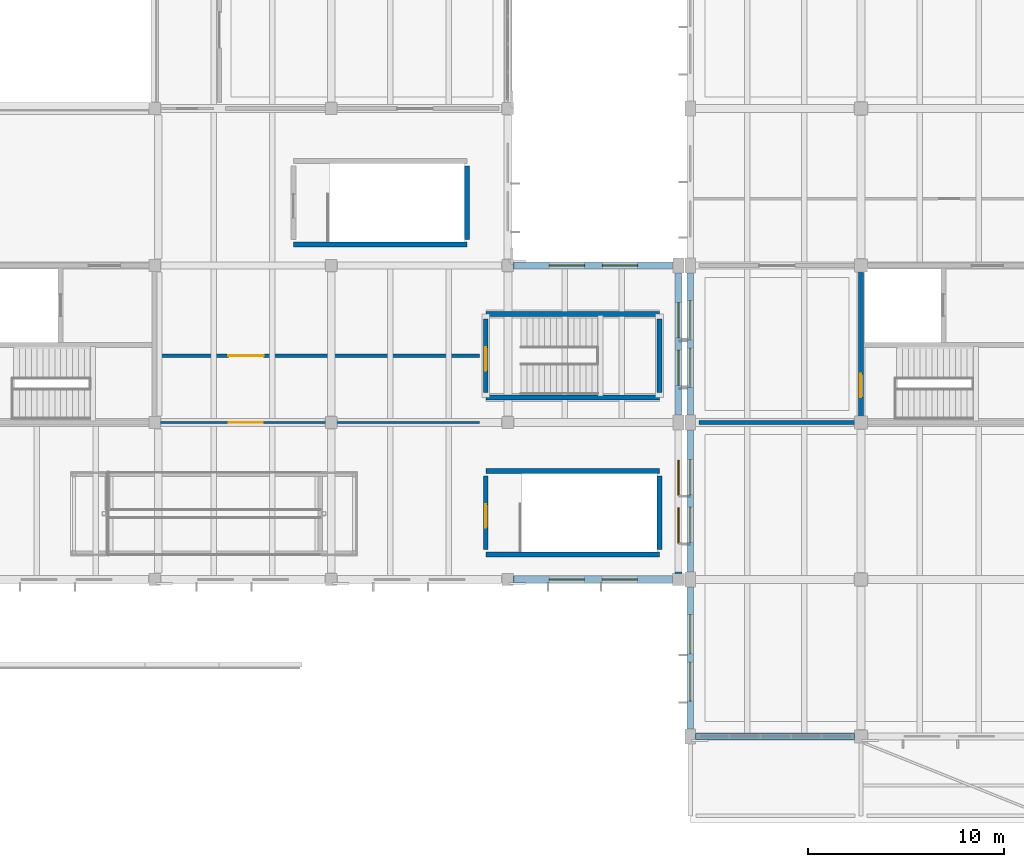
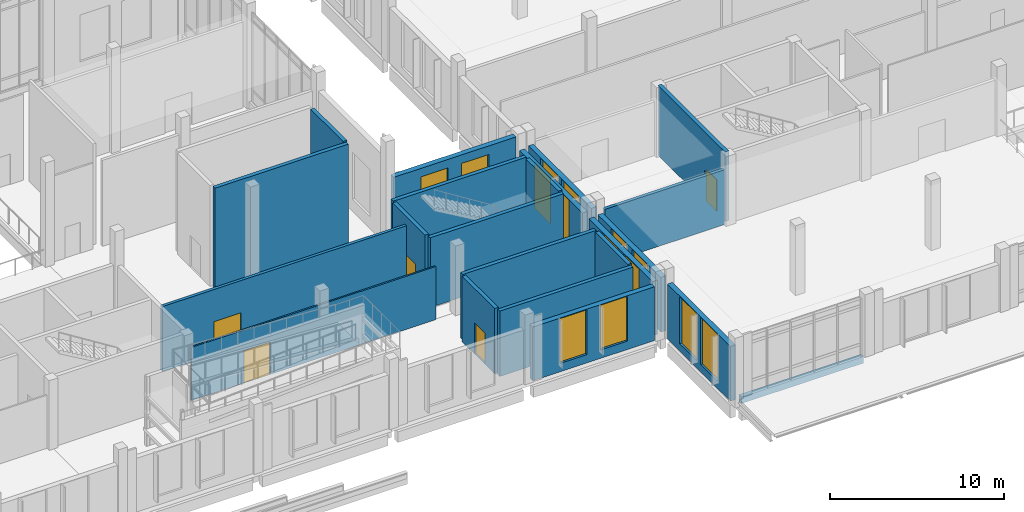
# One storey, part 83 of 110: 22 walls, 14 windows, 5 doors, 19 openings.
"""IFC4 building model written with IfcOpenShell, lengths in metres."""

from ifc_helpers import new_model, si_unit, direction, frame, frame_2d, origin, place, context, subcontext, project, spatial, rectangle, extrude, material, layer, layer_set, type_object, element, fill, save


model = new_model("IFC4")

# Units and contexts
model_context = context("Model", 3, precision=1e-05, world=origin(), true_north=direction((0.0, 1.0)))
body_context = subcontext(model_context, "Body", "Model", "MODEL_VIEW")
ifc_project = project(units=[si_unit("LENGTHUNIT", "METRE"), si_unit("AREAUNIT", "SQUARE_METRE"), si_unit("VOLUMEUNIT", "CUBIC_METRE"), si_unit("PLANEANGLEUNIT", "RADIAN"), si_unit("MASSUNIT", "GRAM", prefix="KILO")], contexts=[model_context])

# Site, building, storey
site_placement = place(None, origin())
site = spatial("IfcSite", under=ifc_project, at=site_placement, CompositionType="ELEMENT")
building_placement = place(site_placement, origin())
building = spatial("IfcBuilding", under=site, at=building_placement, Name="Zacnel Wholesale Market", CompositionType="ELEMENT")
storey_placement = place(building_placement, frame((0.0, 0.0, 6.300048828125)))
storey = spatial("IfcBuildingStorey", under=building, at=storey_placement, Name="L02", CompositionType="ELEMENT", Elevation=6.300048828125)

# Wall, opening, door
ifc_material_1 = material(Name="PIR insulated cold-store panel")
ifc_layer_1 = layer(ifc_material_1, 0.195068359375)
ifc_layer_set_1 = layer_set([ifc_layer_1], Name="PIR insulated cold-store panel")
wall_type_1 = type_object("IfcWallType", Name="WL-COLD-INT195", PredefinedType="STANDARD", material=ifc_layer_set_1)
wall_1_placement = place(storey_placement, frame((117.300048828125, 19.39990234375, 0.0), z_axis=(0.0, 0.0, 1.0), x_axis=(1.0, 0.0, 0.0)))
wall_1 = element("IfcWall", 1, at=wall_1_placement, inside=storey, type_object=wall_type_1, Name="Interior partition L02-0092", PredefinedType="STANDARD", context=body_context, shape_type="SweptSolid", body=[
    extrude(rectangle(XDim=16.25, YDim=0.195068359375, at=frame_2d((8.125, 0.0))), origin(), (0.0, 0.0, 1.0), 4.56005859375),
])
opening_1_placement = place(wall_1_placement, frame((3.449951171875, 0.0, 0.0)))
opening_1 = element("IfcOpeningElement", 2, at=opening_1_placement, cuts=wall_1, Name="Opening FD-03", PredefinedType="OPENING", context=body_context, shape_type="SweptSolid", body=[
    extrude(rectangle(XDim=1.800048828125, YDim=2.300048828125, at=frame_2d((0.89990234375, 1.14990234375))), frame((0.0, 0.107421875, 0.0), z_axis=(0.0, -1.0, 0.0), x_axis=(1.0, 0.0, 0.0)), (0.0, 0.0, 1.0), 0.215087890625),
])
ifc_material_2 = material(Name="Galvanized steel", Category="steel")
door_type_1 = type_object("IfcDoorType", Name="DR-FIRE-COMP-1800", OperationType="NOTDEFINED", PredefinedType="DOOR", material=ifc_material_2)
door_1_placement = place(opening_1_placement, origin())
door_1 = element("IfcDoor", 3, at=door_1_placement, inside=storey, type_object=door_type_1, Name="Interior door L02-0072", OperationType="SINGLE_SWING_RIGHT", OverallHeight=2.300048828125, OverallWidth=1.800048828125, PredefinedType="DOOR", context=body_context, shape_type="SweptSolid", body=[
    extrude(rectangle(XDim=1.800048828125, YDim=2.300048828125, at=frame_2d((0.89990234375, 1.14990234375))), frame((0.0, 0.02490234375, 0.0), z_axis=(0.0, -1.0, 0.0), x_axis=(1.0, 0.0, 0.0)), (0.0, 0.0, 1.0), 0.050048828125),
])
fill(opening_1, door_1)

# Wall
ifc_material_3 = material(Name="PIR insulated cold-store panel")
ifc_layer_2 = layer(ifc_material_3, 0.2099609375)
ifc_layer_set_2 = layer_set([ifc_layer_2], Name="PIR insulated cold-store panel")
wall_type_2 = type_object("IfcWallType", Name="WL-COLD-INT210", PredefinedType="STANDARD", material=ifc_layer_set_2)
wall_2_placement = place(storey_placement, frame((144.75, 16.0, 0.0), z_axis=(0.0, 0.0, 1.0), x_axis=(1.0, 0.0, 0.0)))
element("IfcWall", 4, at=wall_2_placement, inside=storey, type_object=wall_type_2, Name="Interior partition L02-0127", PredefinedType="STANDARD", context=body_context, shape_type="SweptSolid", body=[
    extrude(rectangle(XDim=7.949951171875, YDim=0.2099609375, at=frame_2d((3.97509765625, 0.0))), origin(), (0.0, 0.0, 1.0), 3.849853515625),
])

# Wall, opening, door
ifc_material_4 = material(Name="Concrete C40/50", Category="concrete")
ifc_layer_3 = layer(ifc_material_4, 0.25)
ifc_layer_set_3 = layer_set([ifc_layer_3], Name="Concrete C40/50")
wall_type_3 = type_object("IfcWallType", Name="WL-CORE-SW250", PredefinedType="SOLIDWALL", material=ifc_layer_set_3)
wall_3_placement = place(storey_placement, frame((153.0, 16.125, 0.0), z_axis=(0.0, 0.0, 1.0), x_axis=(0.0, 1.0, 0.0)))
wall_3 = element("IfcWall", 5, at=wall_3_placement, inside=storey, type_object=wall_type_3, Name="Core C1 west shear wall L02", PredefinedType="SOLIDWALL", context=body_context, shape_type="SweptSolid", body=[
    extrude(rectangle(XDim=7.75, YDim=0.25, at=frame_2d((3.875, 0.0))), origin(), (0.0, 0.0, 1.0), 4.89990234375),
])
opening_2_placement = place(wall_3_placement, frame((1.14990234375, 0.0, 0.0)))
opening_2 = element("IfcOpeningElement", 6, at=opening_2_placement, cuts=wall_3, Name="Opening FD-01", PredefinedType="OPENING", context=body_context, shape_type="SweptSolid", body=[
    extrude(rectangle(XDim=1.199951171875, YDim=2.199951171875, at=frame_2d((0.60009765625, 1.10009765625))), frame((0.0, 0.135009765625, 0.0), z_axis=(0.0, -1.0, 0.0), x_axis=(1.0, 0.0, 0.0)), (0.0, 0.0, 1.0), 0.27001953125),
])
ifc_material_5 = material(Name="Galvanized steel", Category="steel")
door_type_2 = type_object("IfcDoorType", Name="DR-FIRE-STAIR-1200", OperationType="NOTDEFINED", PredefinedType="DOOR", material=ifc_material_5)
door_2_placement = place(opening_2_placement, origin())
door_2 = element("IfcDoor", 7, at=door_2_placement, inside=storey, type_object=door_type_2, Name="Protected stair fire door C1 L02", OperationType="SINGLE_SWING_RIGHT", OverallHeight=2.199951171875, OverallWidth=1.199951171875, PredefinedType="DOOR", context=body_context, shape_type="SweptSolid", body=[
    extrude(rectangle(XDim=1.199951171875, YDim=2.199951171875, at=frame_2d((0.60009765625, 1.10009765625))), frame((0.0, 0.02490234375, 0.0), z_axis=(0.0, -1.0, 0.0), x_axis=(1.0, 0.0, 0.0)), (0.0, 0.0, 1.0), 0.050048828125),
])
fill(opening_2, door_2)

# Walls
wall_4_placement = place(storey_placement, frame((124.074951171875, 25.074951171875, 0.0), z_axis=(0.0, 0.0, 1.0), x_axis=(1.0, 0.0, 0.0)))
element("IfcWall", 8, at=wall_4_placement, inside=storey, type_object=wall_type_3, Name="Stair ST-19 south enclosure wall L02", PredefinedType="SOLIDWALL", context=body_context, shape_type="SweptSolid", body=[
    extrude(rectangle(XDim=8.85009765625, YDim=0.25, at=frame_2d((4.425048828125, 0.0))), origin(), (0.0, 0.0, 1.0), 7.08984375),
])
wall_5_placement = place(storey_placement, frame((132.925048828125, 25.324951171875, 0.0), z_axis=(0.0, 0.0, 1.0), x_axis=(0.0, 1.0, 0.0)))
element("IfcWall", 9, at=wall_5_placement, inside=storey, type_object=wall_type_3, Name="Stair ST-19 east enclosure wall L02", PredefinedType="SOLIDWALL", context=body_context, shape_type="SweptSolid", body=[
    extrude(rectangle(XDim=3.75, YDim=0.25, at=frame_2d((1.875, 0.0))), origin(), (0.0, 0.0, 1.0), 7.08984375),
])
for number, where, z_axis, x_axis, name in (
    (10, (133.875, 9.27490234375, 0.0), (0.0, 0.0, 1.0), (1.0, 0.0, 0.0), "Stair ST-24 south enclosure wall L02"),
    (11, (133.875, 13.52490234375, 0.0), (0.0, 0.0, 1.0), (1.0, 0.0, 0.0), "Stair ST-24 north enclosure wall L02"),
):
    element("IfcWall", number, at=place(storey_placement, frame(where, z_axis=z_axis, x_axis=x_axis)), inside=storey, type_object=wall_type_3, Name=name, PredefinedType="SOLIDWALL", context=body_context, shape_type="SweptSolid", body=[
        extrude(rectangle(XDim=8.85009765625, YDim=0.25, at=frame_2d((4.425048828125, 0.0))), origin(), (0.0, 0.0, 1.0), 4.599853515625),
    ])

# Wall, opening, door
wall_6_placement = place(storey_placement, frame((133.875, 9.52490234375, 0.0), z_axis=(0.0, 0.0, 1.0), x_axis=(0.0, 1.0, 0.0)))
wall_6 = element("IfcWall", 12, at=wall_6_placement, inside=storey, type_object=wall_type_3, Name="Stair ST-24 west enclosure wall L02", PredefinedType="SOLIDWALL", context=body_context, shape_type="SweptSolid", body=[
    extrude(rectangle(XDim=3.75, YDim=0.25, at=frame_2d((1.875, 0.0))), origin(), (0.0, 0.0, 1.0), 4.599853515625),
])
opening_3_placement = place(wall_6_placement, frame((1.10009765625, 0.0, 0.0)))
opening_3 = element("IfcOpeningElement", 13, at=opening_3_placement, cuts=wall_6, Name="Opening FD-01", PredefinedType="OPENING", context=body_context, shape_type="SweptSolid", body=[
    extrude(rectangle(XDim=1.199951171875, YDim=2.199951171875, at=frame_2d((0.60009765625, 1.10009765625))), frame((0.0, 0.135009765625, 0.0), z_axis=(0.0, -1.0, 0.0), x_axis=(1.0, 0.0, 0.0)), (0.0, 0.0, 1.0), 0.27001953125),
])
door_3_placement = place(opening_3_placement, origin())
door_3 = element("IfcDoor", 14, at=door_3_placement, inside=storey, type_object=door_type_2, Name="Stair ST-24 fire door L02", OperationType="SINGLE_SWING_LEFT", OverallHeight=2.199951171875, OverallWidth=1.199951171875, PredefinedType="DOOR", context=body_context, shape_type="SweptSolid", body=[
    extrude(rectangle(XDim=1.199951171875, YDim=2.199951171875, at=frame_2d((0.60009765625, 1.10009765625))), frame((0.0, 0.02490234375, 0.0), z_axis=(0.0, -1.0, 0.0), x_axis=(1.0, 0.0, 0.0)), (0.0, 0.0, 1.0), 0.050048828125),
])
fill(opening_3, door_3)

# Walls
wall_7_placement = place(storey_placement, frame((142.72509765625, 9.52490234375, 0.0), z_axis=(0.0, 0.0, 1.0), x_axis=(0.0, 1.0, 0.0)))
element("IfcWall", 15, at=wall_7_placement, inside=storey, type_object=wall_type_3, Name="Stair ST-24 east enclosure wall L02", PredefinedType="SOLIDWALL", context=body_context, shape_type="SweptSolid", body=[
    extrude(rectangle(XDim=3.75, YDim=0.25, at=frame_2d((1.875, 0.0))), origin(), (0.0, 0.0, 1.0), 4.599853515625),
])
for number, where, z_axis, x_axis, name in (
    (16, (133.875, 17.27490234375, 0.0), (0.0, 0.0, 1.0), (1.0, 0.0, 0.0), "Stair ST-25 south enclosure wall L02"),
    (17, (133.875, 21.52490234375, 0.0), (0.0, 0.0, 1.0), (1.0, 0.0, 0.0), "Stair ST-25 north enclosure wall L02"),
):
    element("IfcWall", number, at=place(storey_placement, frame(where, z_axis=z_axis, x_axis=x_axis)), inside=storey, type_object=wall_type_3, Name=name, PredefinedType="SOLIDWALL", context=body_context, shape_type="SweptSolid", body=[
        extrude(rectangle(XDim=8.85009765625, YDim=0.25, at=frame_2d((4.425048828125, 0.0))), origin(), (0.0, 0.0, 1.0), 4.89990234375),
    ])

# Wall, opening, door
wall_8_placement = place(storey_placement, frame((133.875, 17.52490234375, 0.0), z_axis=(0.0, 0.0, 1.0), x_axis=(0.0, 1.0, 0.0)))
wall_8 = element("IfcWall", 18, at=wall_8_placement, inside=storey, type_object=wall_type_3, Name="Stair ST-25 west enclosure wall L02", PredefinedType="SOLIDWALL", context=body_context, shape_type="SweptSolid", body=[
    extrude(rectangle(XDim=3.75, YDim=0.25, at=frame_2d((1.875, 0.0))), origin(), (0.0, 0.0, 1.0), 4.89990234375),
])
opening_4_placement = place(wall_8_placement, frame((1.10009765625, 0.0, 0.0)))
opening_4 = element("IfcOpeningElement", 19, at=opening_4_placement, cuts=wall_8, Name="Opening FD-01", PredefinedType="OPENING", context=body_context, shape_type="SweptSolid", body=[
    extrude(rectangle(XDim=1.199951171875, YDim=2.199951171875, at=frame_2d((0.60009765625, 1.10009765625))), frame((0.0, 0.135009765625, 0.0), z_axis=(0.0, -1.0, 0.0), x_axis=(1.0, 0.0, 0.0)), (0.0, 0.0, 1.0), 0.27001953125),
])
door_4_placement = place(opening_4_placement, origin())
door_4 = element("IfcDoor", 20, at=door_4_placement, inside=storey, type_object=door_type_2, Name="Stair ST-25 fire door L02", OperationType="SINGLE_SWING_LEFT", OverallHeight=2.199951171875, OverallWidth=1.199951171875, PredefinedType="DOOR", context=body_context, shape_type="SweptSolid", body=[
    extrude(rectangle(XDim=1.199951171875, YDim=2.199951171875, at=frame_2d((0.60009765625, 1.10009765625))), frame((0.0, 0.02490234375, 0.0), z_axis=(0.0, -1.0, 0.0), x_axis=(1.0, 0.0, 0.0)), (0.0, 0.0, 1.0), 0.050048828125),
])
fill(opening_4, door_4)

# Walls
wall_9_placement = place(storey_placement, frame((142.72509765625, 17.52490234375, 0.0), z_axis=(0.0, 0.0, 1.0), x_axis=(0.0, 1.0, 0.0)))
element("IfcWall", 21, at=wall_9_placement, inside=storey, type_object=wall_type_3, Name="Stair ST-25 east enclosure wall L02", PredefinedType="SOLIDWALL", context=body_context, shape_type="SweptSolid", body=[
    extrude(rectangle(XDim=3.75, YDim=0.25, at=frame_2d((1.875, 0.0))), origin(), (0.0, 0.0, 1.0), 4.89990234375),
])
ifc_material_6 = material(Name="Precast concrete C40/50 (Cancun limestone aggregate)", Category="masonry")
ifc_layer_4 = layer(ifc_material_6, 0.300048828125)
ifc_layer_set_4 = layer_set([ifc_layer_4], Name="Precast concrete C40/50 (Cancun limestone aggregate)")
wall_type_4 = type_object("IfcWallType", Name="WL-EXT-LIME-300", PredefinedType="SOLIDWALL", material=ifc_layer_set_4)
wall_10_placement = place(storey_placement, frame((144.574951171875, 0.0, 0.0), z_axis=(0.0, 0.0, 1.0), x_axis=(1.0, 0.0, 0.0)))
element("IfcWall", 22, at=wall_10_placement, inside=storey, type_object=wall_type_4, Name="Curtain-wall limestone plinth L02-0016", PredefinedType="SOLIDWALL", context=body_context, shape_type="SweptSolid", body=[
    extrude(rectangle(XDim=8.10009765625, YDim=0.300048828125, at=frame_2d((4.050048828125, 0.0))), origin(), (0.0, 0.0, 1.0), 0.449951171875),
])

# Wall, openings, windows
ifc_material_7 = material(Name="Precast concrete C40/50 (Cancun limestone aggregate)", Category="masonry")
ifc_layer_5 = layer(ifc_material_7, 0.340087890625)
ifc_layer_set_5 = layer_set([ifc_layer_5], Name="Precast concrete C40/50 (Cancun limestone aggregate)")
wall_type_5 = type_object("IfcWallType", Name="WL-EXT-LIME-340", PredefinedType="SOLIDWALL", material=ifc_layer_set_5)
wall_11_placement = place(storey_placement, frame((135.300048828125, 8.0, 0.0), z_axis=(0.0, 0.0, 1.0), x_axis=(1.0, 0.0, 0.0)))
wall_11 = element("IfcWall", 23, at=wall_11_placement, inside=storey, type_object=wall_type_5, Name="Exterior wall L02-0249", PredefinedType="SOLIDWALL", context=body_context, shape_type="SweptSolid", body=[
    extrude(rectangle(XDim=8.099853515625, YDim=0.340087890625, at=frame_2d((4.0498046875, 0.0))), origin(), (0.0, 0.0, 1.0), 3.780029296875),
])
opening_5_placement = place(wall_11_placement, frame((1.800048828125, 0.0, 0.590087890625)))
opening_5 = element("IfcOpeningElement", 24, at=opening_5_placement, cuts=wall_11, Name="Opening W-03", PredefinedType="OPENING", context=body_context, shape_type="SweptSolid", body=[
    extrude(rectangle(XDim=1.800048828125, YDim=3.14990234375, at=frame_2d((0.89990234375, 1.574951171875))), frame((0.0, 0.179931640625, 0.0), z_axis=(0.0, -1.0, 0.0), x_axis=(1.0, 0.0, 0.0)), (0.0, 0.0, 1.0), 0.360107421875),
])
opening_6_placement = place(wall_11_placement, frame((4.5, 0.0, 0.590087890625)))
opening_6 = element("IfcOpeningElement", 25, at=opening_6_placement, cuts=wall_11, Name="Opening W-03", PredefinedType="OPENING", context=body_context, shape_type="SweptSolid", body=[
    extrude(rectangle(XDim=1.800048828125, YDim=3.14990234375, at=frame_2d((0.89990234375, 1.574951171875))), frame((0.0, 0.179931640625, 0.0), z_axis=(0.0, -1.0, 0.0), x_axis=(1.0, 0.0, 0.0)), (0.0, 0.0, 1.0), 0.360107421875),
])
ifc_material_8 = material(Name="Laminated hurricane-impact low-E insulated glass", Category="glass")
window_type_1 = type_object("IfcWindowType", Name="WIN-DEC-1800X3150", PartitioningType="DOUBLE_PANEL_VERTICAL", PredefinedType="WINDOW", material=ifc_material_8)
window_1_placement = place(opening_5_placement, origin())
window_1 = element("IfcWindow", 26, at=window_1_placement, inside=storey, type_object=window_type_1, Name="Window L02-0233", OverallHeight=3.14990234375, OverallWidth=1.800048828125, PartitioningType="DOUBLE_PANEL_VERTICAL", PredefinedType="WINDOW", context=body_context, shape_type="SweptSolid", body=[
    extrude(rectangle(XDim=1.800048828125, YDim=3.14990234375, at=frame_2d((0.89990234375, 1.574951171875))), frame((0.0, 0.030029296875, 0.0), z_axis=(0.0, -1.0, 0.0), x_axis=(1.0, 0.0, 0.0)), (0.0, 0.0, 1.0), 0.06005859375),
])
fill(opening_5, window_1)
window_2_placement = place(opening_6_placement, origin())
window_2 = element("IfcWindow", 27, at=window_2_placement, inside=storey, type_object=window_type_1, Name="Window L02-0234", OverallHeight=3.14990234375, OverallWidth=1.800048828125, PartitioningType="DOUBLE_PANEL_VERTICAL", PredefinedType="WINDOW", context=body_context, shape_type="SweptSolid", body=[
    extrude(rectangle(XDim=1.800048828125, YDim=3.14990234375, at=frame_2d((0.89990234375, 1.574951171875))), frame((0.0, 0.030029296875, 0.0), z_axis=(0.0, -1.0, 0.0), x_axis=(1.0, 0.0, 0.0)), (0.0, 0.0, 1.0), 0.06005859375),
])
fill(opening_6, window_2)

wall_12_placement = place(storey_placement, frame((135.300048828125, 24.0, 0.0), z_axis=(0.0, 0.0, 1.0), x_axis=(1.0, 0.0, 0.0)))
wall_12 = element("IfcWall", 28, at=wall_12_placement, inside=storey, type_object=wall_type_5, Name="Exterior wall L02-0250", PredefinedType="SOLIDWALL", context=body_context, shape_type="SweptSolid", body=[
    extrude(rectangle(XDim=8.125, YDim=0.340087890625, at=frame_2d((4.0625, 0.0))), origin(), (0.0, 0.0, 1.0), 4.599853515625),
])
opening_7_placement = place(wall_12_placement, frame((1.80810546875, 0.0, 0.85009765625)))
opening_7 = element("IfcOpeningElement", 29, at=opening_7_placement, cuts=wall_12, Name="Opening W-03", PredefinedType="OPENING", context=body_context, shape_type="SweptSolid", body=[
    extrude(rectangle(XDim=1.800048828125, YDim=3.14990234375, at=frame_2d((0.89990234375, 1.574951171875))), frame((0.0, 0.179931640625, 0.0), z_axis=(0.0, -1.0, 0.0), x_axis=(1.0, 0.0, 0.0)), (0.0, 0.0, 1.0), 0.360107421875),
])
opening_8_placement = place(wall_12_placement, frame((4.51708984375, 0.0, 0.85009765625)))
opening_8 = element("IfcOpeningElement", 30, at=opening_8_placement, cuts=wall_12, Name="Opening W-03", PredefinedType="OPENING", context=body_context, shape_type="SweptSolid", body=[
    extrude(rectangle(XDim=1.800048828125, YDim=3.14990234375, at=frame_2d((0.89990234375, 1.574951171875))), frame((0.0, 0.179931640625, 0.0), z_axis=(0.0, -1.0, 0.0), x_axis=(1.0, 0.0, 0.0)), (0.0, 0.0, 1.0), 0.360107421875),
])
window_3_placement = place(opening_7_placement, origin())
window_3 = element("IfcWindow", 31, at=window_3_placement, inside=storey, type_object=window_type_1, Name="Window L02-0235", OverallHeight=3.14990234375, OverallWidth=1.800048828125, PartitioningType="DOUBLE_PANEL_VERTICAL", PredefinedType="WINDOW", context=body_context, shape_type="SweptSolid", body=[
    extrude(rectangle(XDim=1.800048828125, YDim=3.14990234375, at=frame_2d((0.89990234375, 1.574951171875))), frame((0.0, 0.030029296875, 0.0), z_axis=(0.0, -1.0, 0.0), x_axis=(1.0, 0.0, 0.0)), (0.0, 0.0, 1.0), 0.06005859375),
])
fill(opening_7, window_3)
window_4_placement = place(opening_8_placement, origin())
window_4 = element("IfcWindow", 32, at=window_4_placement, inside=storey, type_object=window_type_1, Name="Window L02-0236", OverallHeight=3.14990234375, OverallWidth=1.800048828125, PartitioningType="DOUBLE_PANEL_VERTICAL", PredefinedType="WINDOW", context=body_context, shape_type="SweptSolid", body=[
    extrude(rectangle(XDim=1.800048828125, YDim=3.14990234375, at=frame_2d((0.89990234375, 1.574951171875))), frame((0.0, 0.030029296875, 0.0), z_axis=(0.0, -1.0, 0.0), x_axis=(1.0, 0.0, 0.0)), (0.0, 0.0, 1.0), 0.06005859375),
])
fill(opening_8, window_4)

wall_13_placement = place(storey_placement, frame((143.699951171875, 8.300048828125, 0.0), z_axis=(0.0, 0.0, 1.0), x_axis=(0.0, 1.0, 0.0)))
wall_13 = element("IfcWall", 33, at=wall_13_placement, inside=storey, type_object=wall_type_5, Name="Exterior wall L02-0251", PredefinedType="SOLIDWALL", context=body_context, shape_type="SweptSolid", body=[
    extrude(rectangle(XDim=7.324951171875, YDim=0.340087890625, at=frame_2d((3.66259765625, 0.0))), origin(), (0.0, 0.0, 1.0), 3.800048828125),
])
opening_9_placement = place(wall_13_placement, frame((1.5419921875, 0.0, 0.610107421875)))
opening_9 = element("IfcOpeningElement", 34, at=opening_9_placement, cuts=wall_13, Name="Opening W-03", PredefinedType="OPENING", context=body_context, shape_type="SweptSolid", body=[
    extrude(rectangle(XDim=1.800048828125, YDim=3.14990234375, at=frame_2d((0.89990234375, 1.574951171875))), frame((0.0, 0.179931640625, 0.0), z_axis=(0.0, -1.0, 0.0), x_axis=(1.0, 0.0, 0.0)), (0.0, 0.0, 1.0), 0.360107421875),
])
opening_10_placement = place(wall_13_placement, frame((3.98291015625, 0.0, 0.610107421875)))
opening_10 = element("IfcOpeningElement", 35, at=opening_10_placement, cuts=wall_13, Name="Opening W-03", PredefinedType="OPENING", context=body_context, shape_type="SweptSolid", body=[
    extrude(rectangle(XDim=1.800048828125, YDim=3.14990234375, at=frame_2d((0.89990234375, 1.574951171875))), frame((0.0, 0.179931640625, 0.0), z_axis=(0.0, -1.0, 0.0), x_axis=(1.0, 0.0, 0.0)), (0.0, 0.0, 1.0), 0.360107421875),
])
window_5_placement = place(opening_9_placement, origin())
window_5 = element("IfcWindow", 36, at=window_5_placement, inside=storey, type_object=window_type_1, Name="Window L02-0237", OverallHeight=3.14990234375, OverallWidth=1.800048828125, PartitioningType="DOUBLE_PANEL_VERTICAL", PredefinedType="WINDOW", context=body_context, shape_type="SweptSolid", body=[
    extrude(rectangle(XDim=1.800048828125, YDim=3.14990234375, at=frame_2d((0.89990234375, 1.574951171875))), frame((0.0, 0.030029296875, 0.0), z_axis=(0.0, -1.0, 0.0), x_axis=(1.0, 0.0, 0.0)), (0.0, 0.0, 1.0), 0.06005859375),
])
fill(opening_9, window_5)
window_6_placement = place(opening_10_placement, origin())
window_6 = element("IfcWindow", 37, at=window_6_placement, inside=storey, type_object=window_type_1, Name="Window L02-0238", OverallHeight=3.14990234375, OverallWidth=1.800048828125, PartitioningType="DOUBLE_PANEL_VERTICAL", PredefinedType="WINDOW", context=body_context, shape_type="SweptSolid", body=[
    extrude(rectangle(XDim=1.800048828125, YDim=3.14990234375, at=frame_2d((0.89990234375, 1.574951171875))), frame((0.0, 0.030029296875, 0.0), z_axis=(0.0, -1.0, 0.0), x_axis=(1.0, 0.0, 0.0)), (0.0, 0.0, 1.0), 0.06005859375),
])
fill(opening_10, window_6)

wall_14_placement = place(storey_placement, frame((143.699951171875, 16.375, 0.0), z_axis=(0.0, 0.0, 1.0), x_axis=(0.0, 1.0, 0.0)))
wall_14 = element("IfcWall", 38, at=wall_14_placement, inside=storey, type_object=wall_type_5, Name="Exterior wall L02-0252", PredefinedType="SOLIDWALL", context=body_context, shape_type="SweptSolid", body=[
    extrude(rectangle(XDim=7.25, YDim=0.340087890625, at=frame_2d((3.625, 0.0))), origin(), (0.0, 0.0, 1.0), 3.72998046875),
])
opening_11_placement = place(wall_14_placement, frame((1.51708984375, 0.0, 0.5400390625)))
opening_11 = element("IfcOpeningElement", 39, at=opening_11_placement, cuts=wall_14, Name="Opening W-03", PredefinedType="OPENING", context=body_context, shape_type="SweptSolid", body=[
    extrude(rectangle(XDim=1.800048828125, YDim=3.14990234375, at=frame_2d((0.89990234375, 1.574951171875))), frame((0.0, 0.179931640625, 0.0), z_axis=(0.0, -1.0, 0.0), x_axis=(1.0, 0.0, 0.0)), (0.0, 0.0, 1.0), 0.360107421875),
])
opening_12_placement = place(wall_14_placement, frame((3.93310546875, 0.0, 0.5400390625)))
opening_12 = element("IfcOpeningElement", 40, at=opening_12_placement, cuts=wall_14, Name="Opening W-03", PredefinedType="OPENING", context=body_context, shape_type="SweptSolid", body=[
    extrude(rectangle(XDim=1.800048828125, YDim=3.14990234375, at=frame_2d((0.89990234375, 1.574951171875))), frame((0.0, 0.179931640625, 0.0), z_axis=(0.0, -1.0, 0.0), x_axis=(1.0, 0.0, 0.0)), (0.0, 0.0, 1.0), 0.360107421875),
])
window_7_placement = place(opening_11_placement, origin())
window_7 = element("IfcWindow", 41, at=window_7_placement, inside=storey, type_object=window_type_1, Name="Window L02-0239", OverallHeight=3.14990234375, OverallWidth=1.800048828125, PartitioningType="DOUBLE_PANEL_VERTICAL", PredefinedType="WINDOW", context=body_context, shape_type="SweptSolid", body=[
    extrude(rectangle(XDim=1.800048828125, YDim=3.14990234375, at=frame_2d((0.89990234375, 1.574951171875))), frame((0.0, 0.030029296875, 0.0), z_axis=(0.0, -1.0, 0.0), x_axis=(1.0, 0.0, 0.0)), (0.0, 0.0, 1.0), 0.06005859375),
])
fill(opening_11, window_7)
window_8_placement = place(opening_12_placement, origin())
window_8 = element("IfcWindow", 42, at=window_8_placement, inside=storey, type_object=window_type_1, Name="Window L02-0240", OverallHeight=3.14990234375, OverallWidth=1.800048828125, PartitioningType="DOUBLE_PANEL_VERTICAL", PredefinedType="WINDOW", context=body_context, shape_type="SweptSolid", body=[
    extrude(rectangle(XDim=1.800048828125, YDim=3.14990234375, at=frame_2d((0.89990234375, 1.574951171875))), frame((0.0, 0.030029296875, 0.0), z_axis=(0.0, -1.0, 0.0), x_axis=(1.0, 0.0, 0.0)), (0.0, 0.0, 1.0), 0.06005859375),
])
fill(opening_12, window_8)

wall_15_placement = place(storey_placement, frame((144.300048828125, 0.375, 0.0), z_axis=(0.0, 0.0, 1.0), x_axis=(0.0, 1.0, 0.0)))
wall_15 = element("IfcWall", 43, at=wall_15_placement, inside=storey, type_object=wall_type_5, Name="Exterior wall L02-0271", PredefinedType="SOLIDWALL", context=body_context, shape_type="SweptSolid", body=[
    extrude(rectangle(XDim=7.25, YDim=0.340087890625, at=frame_2d((3.625, 0.0))), origin(), (0.0, 0.0, 1.0), 3.849853515625),
])
opening_13_placement = place(wall_15_placement, frame((1.4169921875, 0.0, 0.510009765625)))
opening_13 = element("IfcOpeningElement", 44, at=opening_13_placement, cuts=wall_15, Name="Opening W-02", PredefinedType="OPENING", context=body_context, shape_type="SweptSolid", body=[
    extrude(rectangle(XDim=2.0, YDim=3.300048828125, at=frame_2d((1.0, 1.64990234375))), frame((0.0, 0.179931640625, 0.0), z_axis=(0.0, -1.0, 0.0), x_axis=(1.0, 0.0, 0.0)), (0.0, 0.0, 1.0), 0.360107421875),
])
opening_14_placement = place(wall_15_placement, frame((3.8330078125, 0.0, 0.510009765625)))
opening_14 = element("IfcOpeningElement", 45, at=opening_14_placement, cuts=wall_15, Name="Opening W-02", PredefinedType="OPENING", context=body_context, shape_type="SweptSolid", body=[
    extrude(rectangle(XDim=2.0, YDim=3.300048828125, at=frame_2d((1.0, 1.64990234375))), frame((0.0, 0.179931640625, 0.0), z_axis=(0.0, -1.0, 0.0), x_axis=(1.0, 0.0, 0.0)), (0.0, 0.0, 1.0), 0.360107421875),
])
ifc_material_9 = material(Name="Laminated hurricane-impact low-E insulated glass", Category="glass")
window_type_2 = type_object("IfcWindowType", Name="WIN-DEC-2000X3300", PartitioningType="DOUBLE_PANEL_VERTICAL", PredefinedType="WINDOW", material=ifc_material_9)
window_9_placement = place(opening_13_placement, origin())
window_9 = element("IfcWindow", 46, at=window_9_placement, inside=storey, type_object=window_type_2, Name="Window L02-0277", OverallHeight=3.300048828125, OverallWidth=2.0, PartitioningType="DOUBLE_PANEL_VERTICAL", PredefinedType="WINDOW", context=body_context, shape_type="SweptSolid", body=[
    extrude(rectangle(XDim=2.0, YDim=3.300048828125, at=frame_2d((1.0, 1.64990234375))), frame((0.0, 0.030029296875, 0.0), z_axis=(0.0, -1.0, 0.0), x_axis=(1.0, 0.0, 0.0)), (0.0, 0.0, 1.0), 0.06005859375),
])
fill(opening_13, window_9)
window_10_placement = place(opening_14_placement, origin())
window_10 = element("IfcWindow", 47, at=window_10_placement, inside=storey, type_object=window_type_2, Name="Window L02-0278", OverallHeight=3.300048828125, OverallWidth=2.0, PartitioningType="DOUBLE_PANEL_VERTICAL", PredefinedType="WINDOW", context=body_context, shape_type="SweptSolid", body=[
    extrude(rectangle(XDim=2.0, YDim=3.300048828125, at=frame_2d((1.0, 1.64990234375))), frame((0.0, 0.030029296875, 0.0), z_axis=(0.0, -1.0, 0.0), x_axis=(1.0, 0.0, 0.0)), (0.0, 0.0, 1.0), 0.06005859375),
])
fill(opening_14, window_10)

wall_16_placement = place(storey_placement, frame((144.300048828125, 8.375, 0.0), z_axis=(0.0, 0.0, 1.0), x_axis=(0.0, 1.0, 0.0)))
wall_16 = element("IfcWall", 48, at=wall_16_placement, inside=storey, type_object=wall_type_5, Name="Exterior wall L02-0272", PredefinedType="SOLIDWALL", context=body_context, shape_type="SweptSolid", body=[
    extrude(rectangle(XDim=7.25, YDim=0.340087890625, at=frame_2d((3.625, 0.0))), origin(), (0.0, 0.0, 1.0), 3.849853515625),
])
opening_15_placement = place(wall_16_placement, frame((1.51708984375, 0.0, 0.659912109375)))
opening_15 = element("IfcOpeningElement", 49, at=opening_15_placement, cuts=wall_16, Name="Opening W-03", PredefinedType="OPENING", context=body_context, shape_type="SweptSolid", body=[
    extrude(rectangle(XDim=1.800048828125, YDim=3.14990234375, at=frame_2d((0.89990234375, 1.574951171875))), frame((0.0, 0.179931640625, 0.0), z_axis=(0.0, -1.0, 0.0), x_axis=(1.0, 0.0, 0.0)), (0.0, 0.0, 1.0), 0.360107421875),
])
opening_16_placement = place(wall_16_placement, frame((3.93310546875, 0.0, 0.659912109375)))
opening_16 = element("IfcOpeningElement", 50, at=opening_16_placement, cuts=wall_16, Name="Opening W-03", PredefinedType="OPENING", context=body_context, shape_type="SweptSolid", body=[
    extrude(rectangle(XDim=1.800048828125, YDim=3.14990234375, at=frame_2d((0.89990234375, 1.574951171875))), frame((0.0, 0.179931640625, 0.0), z_axis=(0.0, -1.0, 0.0), x_axis=(1.0, 0.0, 0.0)), (0.0, 0.0, 1.0), 0.360107421875),
])
window_11_placement = place(opening_15_placement, origin())
window_11 = element("IfcWindow", 51, at=window_11_placement, inside=storey, type_object=window_type_1, Name="Window L02-0279", OverallHeight=3.14990234375, OverallWidth=1.800048828125, PartitioningType="DOUBLE_PANEL_VERTICAL", PredefinedType="WINDOW", context=body_context, shape_type="SweptSolid", body=[
    extrude(rectangle(XDim=1.800048828125, YDim=3.14990234375, at=frame_2d((0.89990234375, 1.574951171875))), frame((0.0, 0.030029296875, 0.0), z_axis=(0.0, -1.0, 0.0), x_axis=(1.0, 0.0, 0.0)), (0.0, 0.0, 1.0), 0.06005859375),
])
fill(opening_15, window_11)
window_12_placement = place(opening_16_placement, origin())
window_12 = element("IfcWindow", 52, at=window_12_placement, inside=storey, type_object=window_type_1, Name="Window L02-0280", OverallHeight=3.14990234375, OverallWidth=1.800048828125, PartitioningType="DOUBLE_PANEL_VERTICAL", PredefinedType="WINDOW", context=body_context, shape_type="SweptSolid", body=[
    extrude(rectangle(XDim=1.800048828125, YDim=3.14990234375, at=frame_2d((0.89990234375, 1.574951171875))), frame((0.0, 0.030029296875, 0.0), z_axis=(0.0, -1.0, 0.0), x_axis=(1.0, 0.0, 0.0)), (0.0, 0.0, 1.0), 0.06005859375),
])
fill(opening_16, window_12)

wall_17_placement = place(storey_placement, frame((144.300048828125, 16.375, 0.0), z_axis=(0.0, 0.0, 1.0), x_axis=(0.0, 1.0, 0.0)))
wall_17 = element("IfcWall", 53, at=wall_17_placement, inside=storey, type_object=wall_type_5, Name="Exterior wall L02-0273", PredefinedType="SOLIDWALL", context=body_context, shape_type="SweptSolid", body=[
    extrude(rectangle(XDim=7.25, YDim=0.340087890625, at=frame_2d((3.625, 0.0))), origin(), (0.0, 0.0, 1.0), 3.849853515625),
])
opening_17_placement = place(wall_17_placement, frame((1.4169921875, 0.0, 0.510009765625)))
opening_17 = element("IfcOpeningElement", 54, at=opening_17_placement, cuts=wall_17, Name="Opening W-02", PredefinedType="OPENING", context=body_context, shape_type="SweptSolid", body=[
    extrude(rectangle(XDim=2.0, YDim=3.300048828125, at=frame_2d((1.0, 1.64990234375))), frame((0.0, 0.179931640625, 0.0), z_axis=(0.0, -1.0, 0.0), x_axis=(1.0, 0.0, 0.0)), (0.0, 0.0, 1.0), 0.360107421875),
])
opening_18_placement = place(wall_17_placement, frame((3.8330078125, 0.0, 0.510009765625)))
opening_18 = element("IfcOpeningElement", 55, at=opening_18_placement, cuts=wall_17, Name="Opening W-02", PredefinedType="OPENING", context=body_context, shape_type="SweptSolid", body=[
    extrude(rectangle(XDim=2.0, YDim=3.300048828125, at=frame_2d((1.0, 1.64990234375))), frame((0.0, 0.179931640625, 0.0), z_axis=(0.0, -1.0, 0.0), x_axis=(1.0, 0.0, 0.0)), (0.0, 0.0, 1.0), 0.360107421875),
])
window_13_placement = place(opening_17_placement, origin())
window_13 = element("IfcWindow", 56, at=window_13_placement, inside=storey, type_object=window_type_2, Name="Window L02-0281", OverallHeight=3.300048828125, OverallWidth=2.0, PartitioningType="DOUBLE_PANEL_VERTICAL", PredefinedType="WINDOW", context=body_context, shape_type="SweptSolid", body=[
    extrude(rectangle(XDim=2.0, YDim=3.300048828125, at=frame_2d((1.0, 1.64990234375))), frame((0.0, 0.030029296875, 0.0), z_axis=(0.0, -1.0, 0.0), x_axis=(1.0, 0.0, 0.0)), (0.0, 0.0, 1.0), 0.06005859375),
])
fill(opening_17, window_13)
window_14_placement = place(opening_18_placement, origin())
window_14 = element("IfcWindow", 57, at=window_14_placement, inside=storey, type_object=window_type_2, Name="Window L02-0282", OverallHeight=3.300048828125, OverallWidth=2.0, PartitioningType="DOUBLE_PANEL_VERTICAL", PredefinedType="WINDOW", context=body_context, shape_type="SweptSolid", body=[
    extrude(rectangle(XDim=2.0, YDim=3.300048828125, at=frame_2d((1.0, 1.64990234375))), frame((0.0, 0.030029296875, 0.0), z_axis=(0.0, -1.0, 0.0), x_axis=(1.0, 0.0, 0.0)), (0.0, 0.0, 1.0), 0.06005859375),
])
fill(opening_18, window_14)

# Wall, opening, door
ifc_material_10 = material(Name="Moisture-resistant gypsum board partition")
ifc_layer_6 = layer(ifc_material_10, 0.110107421875)
ifc_layer_set_6 = layer_set([ifc_layer_6], Name="Moisture-resistant gypsum board partition")
wall_type_6 = type_object("IfcWallType", Name="WL-PART-GYP110", PredefinedType="PARTITIONING", material=ifc_layer_set_6)
wall_18_placement = place(storey_placement, frame((117.300048828125, 16.0, 0.0), z_axis=(0.0, 0.0, 1.0), x_axis=(1.0, 0.0, 0.0)))
wall_18 = element("IfcWall", 58, at=wall_18_placement, inside=storey, type_object=wall_type_6, Name="Interior partition L02-0091", PredefinedType="PARTITIONING", context=body_context, shape_type="SweptSolid", body=[
    extrude(rectangle(XDim=16.25, YDim=0.110107421875, at=frame_2d((8.125, 0.0))), origin(), (0.0, 0.0, 1.0), 3.72998046875),
])
opening_19_placement = place(wall_18_placement, frame((3.47998046875, 0.0, 0.0)))
opening_19 = element("IfcOpeningElement", 59, at=opening_19_placement, cuts=wall_18, Name="Opening ID-15", PredefinedType="OPENING", context=body_context, shape_type="SweptSolid", body=[
    extrude(rectangle(XDim=1.739990234375, YDim=2.280029296875, at=frame_2d((0.8701171875, 1.14013671875))), frame((0.0, 0.06494140625, 0.0), z_axis=(0.0, -1.0, 0.0), x_axis=(1.0, 0.0, 0.0)), (0.0, 0.0, 1.0), 0.130126953125),
])
ifc_material_11 = material(Name="Solid-core tropical hardwood door", Category="wood")
door_type_3 = type_object("IfcDoorType", Name="DR-HALL-DBL-1740", OperationType="NOTDEFINED", PredefinedType="DOOR", material=ifc_material_11)
door_5_placement = place(opening_19_placement, origin())
door_5 = element("IfcDoor", 60, at=door_5_placement, inside=storey, type_object=door_type_3, Name="Interior door L02-0071", OperationType="DOUBLE_DOOR_SINGLE_SWING", OverallHeight=2.280029296875, OverallWidth=1.739990234375, PredefinedType="DOOR", context=body_context, shape_type="SweptSolid", body=[
    extrude(rectangle(XDim=1.739990234375, YDim=2.280029296875, at=frame_2d((0.8701171875, 1.14013671875))), frame((0.0, 0.02490234375, 0.0), z_axis=(0.0, -1.0, 0.0), x_axis=(1.0, 0.0, 0.0)), (0.0, 0.0, 1.0), 0.050048828125),
])
fill(opening_19, door_5)

save(model, "model.ifc")
